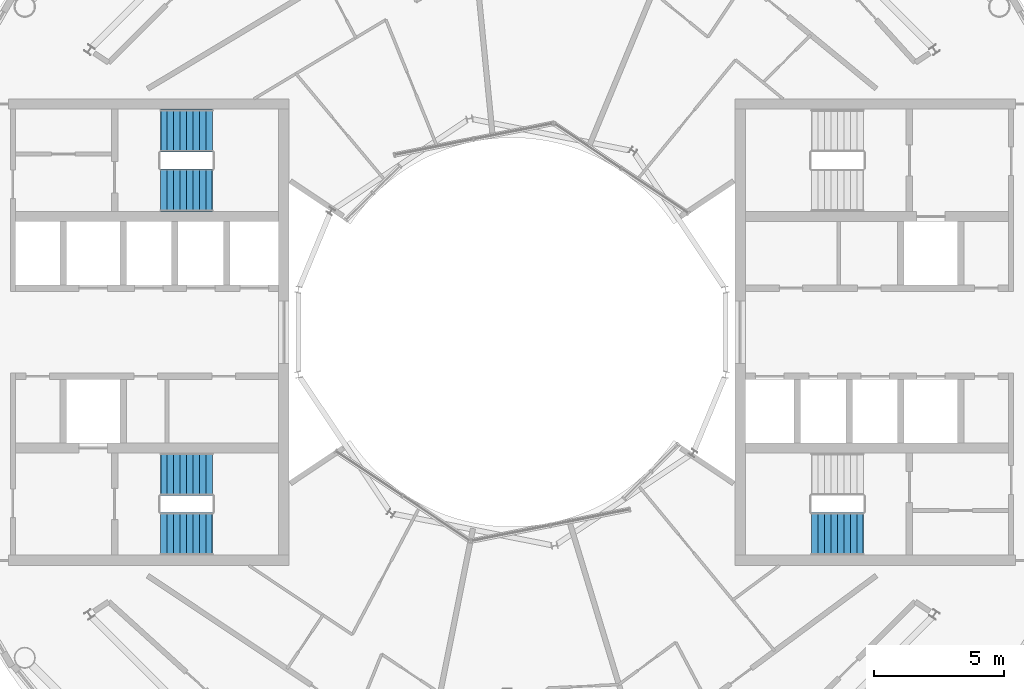
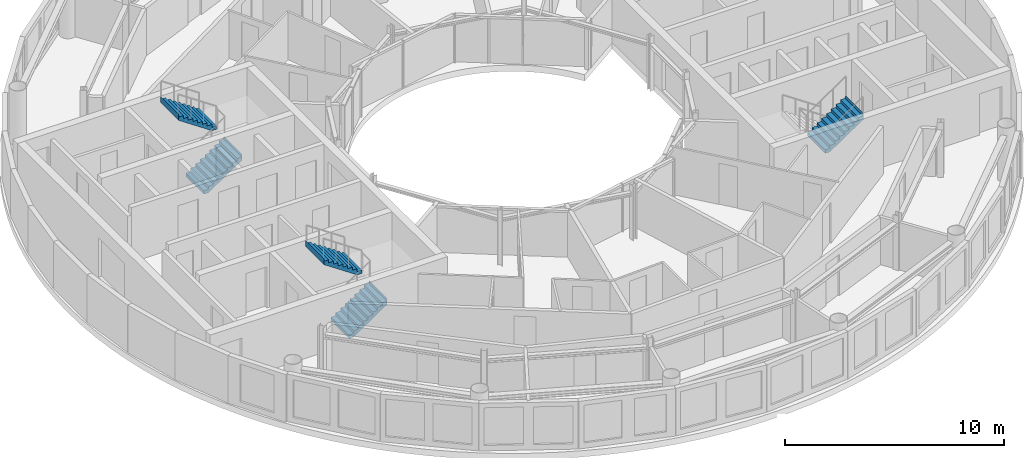
# One storey, part 15 of 17: 5 stair flights, 3 elements without a shape of their own.
"""IFC4 building model written with IfcOpenShell, lengths in metres."""

from ifc_helpers import new_model, si_unit, direction, frame, origin, place, context, subcontext, project, spatial, triangles, material, type_object, element, aggregate, save


model = new_model("IFC4")

# Units and contexts
model_context = context("Model", 3, precision=1e-05, world=origin(), true_north=direction((0.0, 1.0)))
body_context = subcontext(model_context, "Body", "Model", "MODEL_VIEW")
ifc_project = project(units=[si_unit("LENGTHUNIT", "METRE"), si_unit("AREAUNIT", "SQUARE_METRE"), si_unit("VOLUMEUNIT", "CUBIC_METRE"), si_unit("PLANEANGLEUNIT", "RADIAN"), si_unit("MASSUNIT", "GRAM", prefix="KILO")], contexts=[model_context])

# Site, building, storey
site_placement = place(None, origin())
site = spatial("IfcSite", under=ifc_project, at=site_placement, CompositionType="ELEMENT")
building_placement = place(site_placement, origin())
building = spatial("IfcBuilding", under=site, at=building_placement, Name="Maasbend Ring Residences", CompositionType="ELEMENT")
storey_placement = place(building_placement, frame((0.0, 0.0, 252.35009765625)))
storey = spatial("IfcBuildingStorey", under=building, at=storey_placement, Name="L73", CompositionType="ELEMENT", Elevation=252.35009765625)

# Stair, stair flight
ifc_material_1 = material(Name="Concrete C40/50", Category="concrete")
stair_type = type_object("IfcStairType", Name="CORE STAIR 18 RISERS", PredefinedType="HALF_TURN_STAIR", material=ifc_material_1)
stair_1_placement = place(storey_placement, origin())
stair_1 = element("IfcStair", 1, at=stair_1_placement, inside=storey, type_object=stair_type, Name="L73 Exit stair ST-E2", PredefinedType="HALF_TURN_STAIR")
ifc_material_2 = material(Name="Concrete C40/50", Category="concrete")
stair_flight_type = type_object("IfcStairFlightType", Name="CORE STAIR FLIGHT 1650", PredefinedType="STRAIGHT", material=ifc_material_2)
stair_flight_1_placement = place(storey_placement, frame((11.550048828125, -7.77490234375, 1.52490234375), z_axis=(0.0, 0.0, 1.0), x_axis=(1.0, 0.0, 0.0)))
stair_flight_1 = element("IfcStairFlight", 2, at=stair_flight_1_placement, type_object=stair_flight_type, Name="ST-E2 flight 2", NumberOfRisers=9, NumberOfTreads=8, PredefinedType="STRAIGHT", RiserHeight=0.169444444, TreadLength=0.25, context=body_context, shape_type="Tessellation", body=[
    triangles([(0.24072265625, 0.824951171875, -0.02001953125), (2.0029296875, 0.824951171875, 1.174560546875), (2.0029296875, 0.824951171875, 1.52490234375), (1.989990234375, 0.824951171875, 1.35546875), (1.75, 0.824951171875, 1.35546875), (1.75, 0.824951171875, 1.18603515625), (1.5, 0.824951171875, 1.18603515625), (1.5, 0.824951171875, 1.0166015625), (1.25, 0.824951171875, 1.0166015625), (1.25, 0.824951171875, 0.84716796875), (1.0, 0.824951171875, 0.84716796875), (1.0, 0.824951171875, 0.677734375), (0.75, 0.824951171875, 0.677734375), (0.75, 0.824951171875, 0.50830078125), (0.5, 0.824951171875, 0.50830078125), (0.5, 0.824951171875, 0.3388671875), (0.25, 0.824951171875, 0.3388671875), (0.25, 0.824951171875, 0.16943359375), (0.0, 0.824951171875, 0.16943359375), (0.0, 0.824951171875, 0.0), (-0.0029296875, 0.824951171875, 0.0), (-0.0029296875, 0.824951171875, -0.02001953125), (0.24072265625, 0.27490234375, -0.02001953125), (2.0029296875, 0.27490234375, 1.174560546875), (2.0029296875, 0.27490234375, 1.52490234375), (1.989990234375, 0.27490234375, 1.35546875), (1.75, 0.27490234375, 1.35546875), (1.75, 0.27490234375, 1.18603515625), (1.5, 0.27490234375, 1.18603515625), (1.5, 0.27490234375, 1.0166015625), (1.25, 0.27490234375, 1.0166015625), (1.25, 0.27490234375, 0.84716796875), (1.0, 0.27490234375, 0.84716796875), (1.0, 0.27490234375, 0.677734375), (0.75, 0.27490234375, 0.677734375), (0.75, 0.27490234375, 0.50830078125), (0.5, 0.27490234375, 0.50830078125), (0.5, 0.27490234375, 0.3388671875), (0.25, 0.27490234375, 0.3388671875), (0.25, 0.27490234375, 0.16943359375), (0.0, 0.27490234375, 0.16943359375), (0.0, 0.27490234375, 0.0), (-0.0029296875, 0.27490234375, 0.0), (-0.0029296875, 0.27490234375, -0.02001953125), (0.24072265625, -0.27490234375, -0.02001953125), (2.0029296875, -0.27490234375, 1.174560546875), (2.0029296875, -0.27490234375, 1.52490234375), (1.989990234375, -0.27490234375, 1.35546875), (1.75, -0.27490234375, 1.35546875), (1.75, -0.27490234375, 1.18603515625), (1.5, -0.27490234375, 1.18603515625), (1.5, -0.27490234375, 1.0166015625), (1.25, -0.27490234375, 1.0166015625), (1.25, -0.27490234375, 0.84716796875), (1.0, -0.27490234375, 0.84716796875), (1.0, -0.27490234375, 0.677734375), (0.75, -0.27490234375, 0.677734375), (0.75, -0.27490234375, 0.50830078125), (0.5, -0.27490234375, 0.50830078125), (0.5, -0.27490234375, 0.3388671875), (0.25, -0.27490234375, 0.3388671875), (0.25, -0.27490234375, 0.16943359375), (0.0, -0.27490234375, 0.16943359375), (0.0, -0.27490234375, 0.0), (-0.0029296875, -0.27490234375, 0.0), (-0.0029296875, -0.27490234375, -0.02001953125), (0.24072265625, -0.824951171875, -0.02001953125), (2.0029296875, -0.824951171875, 1.174560546875), (2.0029296875, -0.824951171875, 1.52490234375), (1.989990234375, -0.824951171875, 1.35546875), (1.75, -0.824951171875, 1.35546875), (1.75, -0.824951171875, 1.18603515625), (1.5, -0.824951171875, 1.18603515625), (1.5, -0.824951171875, 1.0166015625), (1.25, -0.824951171875, 1.0166015625), (1.25, -0.824951171875, 0.84716796875), (1.0, -0.824951171875, 0.84716796875), (1.0, -0.824951171875, 0.677734375), (0.75, -0.824951171875, 0.677734375), (0.75, -0.824951171875, 0.50830078125), (0.5, -0.824951171875, 0.50830078125), (0.5, -0.824951171875, 0.3388671875), (0.25, -0.824951171875, 0.3388671875), (0.25, -0.824951171875, 0.16943359375), (0.0, -0.824951171875, 0.16943359375), (0.0, -0.824951171875, 0.0), (-0.0029296875, -0.824951171875, 0.0), (-0.0029296875, -0.824951171875, -0.02001953125)], [[1, 2, 24], [1, 24, 23], [23, 24, 46], [23, 46, 45], [45, 46, 68], [45, 68, 67], [2, 3, 25], [2, 25, 24], [24, 25, 47], [24, 47, 46], [46, 47, 69], [46, 69, 68], [3, 4, 26], [3, 26, 25], [25, 26, 48], [25, 48, 47], [47, 48, 70], [47, 70, 69], [4, 5, 27], [4, 27, 26], [26, 27, 49], [26, 49, 48], [48, 49, 71], [48, 71, 70], [5, 6, 28], [5, 28, 27], [27, 28, 50], [27, 50, 49], [49, 50, 72], [49, 72, 71], [6, 7, 29], [6, 29, 28], [28, 29, 51], [28, 51, 50], [50, 51, 73], [50, 73, 72], [7, 8, 30], [7, 30, 29], [29, 30, 52], [29, 52, 51], [51, 52, 74], [51, 74, 73], [8, 9, 31], [8, 31, 30], [30, 31, 53], [30, 53, 52], [52, 53, 75], [52, 75, 74], [9, 10, 32], [9, 32, 31], [31, 32, 54], [31, 54, 53], [53, 54, 76], [53, 76, 75], [10, 11, 33], [10, 33, 32], [32, 33, 55], [32, 55, 54], [54, 55, 77], [54, 77, 76], [11, 12, 34], [11, 34, 33], [33, 34, 56], [33, 56, 55], [55, 56, 78], [55, 78, 77], [12, 13, 35], [12, 35, 34], [34, 35, 57], [34, 57, 56], [56, 57, 79], [56, 79, 78], [13, 14, 36], [13, 36, 35], [35, 36, 58], [35, 58, 57], [57, 58, 80], [57, 80, 79], [14, 15, 37], [14, 37, 36], [36, 37, 59], [36, 59, 58], [58, 59, 81], [58, 81, 80], [15, 16, 38], [15, 38, 37], [37, 38, 60], [37, 60, 59], [59, 60, 82], [59, 82, 81], [16, 17, 39], [16, 39, 38], [38, 39, 61], [38, 61, 60], [60, 61, 83], [60, 83, 82], [17, 18, 40], [17, 40, 39], [39, 40, 62], [39, 62, 61], [61, 62, 84], [61, 84, 83], [18, 19, 41], [18, 41, 40], [40, 41, 63], [40, 63, 62], [62, 63, 85], [62, 85, 84], [19, 20, 42], [19, 42, 41], [41, 42, 64], [41, 64, 63], [63, 64, 86], [63, 86, 85], [20, 21, 43], [20, 43, 42], [42, 43, 65], [42, 65, 64], [64, 65, 87], [64, 87, 86], [21, 22, 44], [21, 44, 43], [43, 44, 66], [43, 66, 65], [65, 66, 88], [65, 88, 87], [22, 1, 23], [22, 23, 44], [44, 23, 45], [44, 45, 66], [66, 45, 67], [66, 67, 88], [22, 2, 1], [2, 4, 3], [2, 5, 4], [2, 6, 5], [22, 6, 2], [6, 8, 7], [22, 8, 6], [8, 10, 9], [22, 10, 8], [10, 12, 11], [22, 12, 10], [12, 14, 13], [22, 14, 12], [14, 16, 15], [22, 16, 14], [16, 18, 17], [22, 18, 16], [18, 20, 19], [22, 20, 18], [20, 22, 21], [88, 67, 68], [68, 69, 70], [68, 70, 71], [68, 71, 72], [88, 68, 72], [72, 73, 74], [88, 72, 74], [74, 75, 76], [88, 74, 76], [76, 77, 78], [88, 76, 78], [78, 79, 80], [88, 78, 80], [80, 81, 82], [88, 80, 82], [82, 83, 84], [88, 82, 84], [84, 85, 86], [88, 84, 86], [86, 87, 88]], closed=True),
])
aggregate(stair_1, [stair_flight_1])

# Stair, stair flights
stair_2_placement = place(storey_placement, origin())
stair_2 = element("IfcStair", 3, at=stair_2_placement, inside=storey, type_object=stair_type, Name="L73 Exit stair ST-W1", PredefinedType="HALF_TURN_STAIR")
stair_flight_2_placement = place(storey_placement, frame((-13.550048828125, -7.77490234375, 0.0), z_axis=(0.0, 0.0, 1.0), x_axis=(1.0, 0.0, 0.0)))
stair_flight_2 = element("IfcStairFlight", 4, at=stair_flight_2_placement, type_object=stair_flight_type, Name="ST-W1 flight 1", NumberOfRisers=9, NumberOfTreads=8, PredefinedType="STRAIGHT", RiserHeight=0.169444444, TreadLength=0.25, context=body_context, shape_type="Tessellation", body=[
    triangles([(0.24072265625, 0.824951171875, -0.02001953125), (2.0029296875, 0.824951171875, 1.174560546875), (2.0029296875, 0.824951171875, 1.52490234375), (1.989990234375, 0.824951171875, 1.35546875), (1.75, 0.824951171875, 1.35546875), (1.75, 0.824951171875, 1.18603515625), (1.5, 0.824951171875, 1.18603515625), (1.5, 0.824951171875, 1.0166015625), (1.25, 0.824951171875, 1.0166015625), (1.25, 0.824951171875, 0.84716796875), (1.0, 0.824951171875, 0.84716796875), (1.0, 0.824951171875, 0.677734375), (0.75, 0.824951171875, 0.677734375), (0.75, 0.824951171875, 0.50830078125), (0.5, 0.824951171875, 0.50830078125), (0.5, 0.824951171875, 0.3388671875), (0.25, 0.824951171875, 0.3388671875), (0.25, 0.824951171875, 0.16943359375), (0.0, 0.824951171875, 0.16943359375), (0.0, 0.824951171875, 0.0), (-0.0029296875, 0.824951171875, 0.0), (-0.0029296875, 0.824951171875, -0.02001953125), (0.24072265625, 0.27490234375, -0.02001953125), (2.0029296875, 0.27490234375, 1.174560546875), (2.0029296875, 0.27490234375, 1.52490234375), (1.989990234375, 0.27490234375, 1.35546875), (1.75, 0.27490234375, 1.35546875), (1.75, 0.27490234375, 1.18603515625), (1.5, 0.27490234375, 1.18603515625), (1.5, 0.27490234375, 1.0166015625), (1.25, 0.27490234375, 1.0166015625), (1.25, 0.27490234375, 0.84716796875), (1.0, 0.27490234375, 0.84716796875), (1.0, 0.27490234375, 0.677734375), (0.75, 0.27490234375, 0.677734375), (0.75, 0.27490234375, 0.50830078125), (0.5, 0.27490234375, 0.50830078125), (0.5, 0.27490234375, 0.3388671875), (0.25, 0.27490234375, 0.3388671875), (0.25, 0.27490234375, 0.16943359375), (0.0, 0.27490234375, 0.16943359375), (0.0, 0.27490234375, 0.0), (-0.0029296875, 0.27490234375, 0.0), (-0.0029296875, 0.27490234375, -0.02001953125), (0.24072265625, -0.27490234375, -0.02001953125), (2.0029296875, -0.27490234375, 1.174560546875), (2.0029296875, -0.27490234375, 1.52490234375), (1.989990234375, -0.27490234375, 1.35546875), (1.75, -0.27490234375, 1.35546875), (1.75, -0.27490234375, 1.18603515625), (1.5, -0.27490234375, 1.18603515625), (1.5, -0.27490234375, 1.0166015625), (1.25, -0.27490234375, 1.0166015625), (1.25, -0.27490234375, 0.84716796875), (1.0, -0.27490234375, 0.84716796875), (1.0, -0.27490234375, 0.677734375), (0.75, -0.27490234375, 0.677734375), (0.75, -0.27490234375, 0.50830078125), (0.5, -0.27490234375, 0.50830078125), (0.5, -0.27490234375, 0.3388671875), (0.25, -0.27490234375, 0.3388671875), (0.25, -0.27490234375, 0.16943359375), (0.0, -0.27490234375, 0.16943359375), (0.0, -0.27490234375, 0.0), (-0.0029296875, -0.27490234375, 0.0), (-0.0029296875, -0.27490234375, -0.02001953125), (0.24072265625, -0.824951171875, -0.02001953125), (2.0029296875, -0.824951171875, 1.174560546875), (2.0029296875, -0.824951171875, 1.52490234375), (1.989990234375, -0.824951171875, 1.35546875), (1.75, -0.824951171875, 1.35546875), (1.75, -0.824951171875, 1.18603515625), (1.5, -0.824951171875, 1.18603515625), (1.5, -0.824951171875, 1.0166015625), (1.25, -0.824951171875, 1.0166015625), (1.25, -0.824951171875, 0.84716796875), (1.0, -0.824951171875, 0.84716796875), (1.0, -0.824951171875, 0.677734375), (0.75, -0.824951171875, 0.677734375), (0.75, -0.824951171875, 0.50830078125), (0.5, -0.824951171875, 0.50830078125), (0.5, -0.824951171875, 0.3388671875), (0.25, -0.824951171875, 0.3388671875), (0.25, -0.824951171875, 0.16943359375), (0.0, -0.824951171875, 0.16943359375), (0.0, -0.824951171875, 0.0), (-0.0029296875, -0.824951171875, 0.0), (-0.0029296875, -0.824951171875, -0.02001953125)], [[1, 2, 24], [1, 24, 23], [23, 24, 46], [23, 46, 45], [45, 46, 68], [45, 68, 67], [2, 3, 25], [2, 25, 24], [24, 25, 47], [24, 47, 46], [46, 47, 69], [46, 69, 68], [3, 4, 26], [3, 26, 25], [25, 26, 48], [25, 48, 47], [47, 48, 70], [47, 70, 69], [4, 5, 27], [4, 27, 26], [26, 27, 49], [26, 49, 48], [48, 49, 71], [48, 71, 70], [5, 6, 28], [5, 28, 27], [27, 28, 50], [27, 50, 49], [49, 50, 72], [49, 72, 71], [6, 7, 29], [6, 29, 28], [28, 29, 51], [28, 51, 50], [50, 51, 73], [50, 73, 72], [7, 8, 30], [7, 30, 29], [29, 30, 52], [29, 52, 51], [51, 52, 74], [51, 74, 73], [8, 9, 31], [8, 31, 30], [30, 31, 53], [30, 53, 52], [52, 53, 75], [52, 75, 74], [9, 10, 32], [9, 32, 31], [31, 32, 54], [31, 54, 53], [53, 54, 76], [53, 76, 75], [10, 11, 33], [10, 33, 32], [32, 33, 55], [32, 55, 54], [54, 55, 77], [54, 77, 76], [11, 12, 34], [11, 34, 33], [33, 34, 56], [33, 56, 55], [55, 56, 78], [55, 78, 77], [12, 13, 35], [12, 35, 34], [34, 35, 57], [34, 57, 56], [56, 57, 79], [56, 79, 78], [13, 14, 36], [13, 36, 35], [35, 36, 58], [35, 58, 57], [57, 58, 80], [57, 80, 79], [14, 15, 37], [14, 37, 36], [36, 37, 59], [36, 59, 58], [58, 59, 81], [58, 81, 80], [15, 16, 38], [15, 38, 37], [37, 38, 60], [37, 60, 59], [59, 60, 82], [59, 82, 81], [16, 17, 39], [16, 39, 38], [38, 39, 61], [38, 61, 60], [60, 61, 83], [60, 83, 82], [17, 18, 40], [17, 40, 39], [39, 40, 62], [39, 62, 61], [61, 62, 84], [61, 84, 83], [18, 19, 41], [18, 41, 40], [40, 41, 63], [40, 63, 62], [62, 63, 85], [62, 85, 84], [19, 20, 42], [19, 42, 41], [41, 42, 64], [41, 64, 63], [63, 64, 86], [63, 86, 85], [20, 21, 43], [20, 43, 42], [42, 43, 65], [42, 65, 64], [64, 65, 87], [64, 87, 86], [21, 22, 44], [21, 44, 43], [43, 44, 66], [43, 66, 65], [65, 66, 88], [65, 88, 87], [22, 1, 23], [22, 23, 44], [44, 23, 45], [44, 45, 66], [66, 45, 67], [66, 67, 88], [22, 2, 1], [2, 4, 3], [2, 5, 4], [2, 6, 5], [22, 6, 2], [6, 8, 7], [22, 8, 6], [8, 10, 9], [22, 10, 8], [10, 12, 11], [22, 12, 10], [12, 14, 13], [22, 14, 12], [14, 16, 15], [22, 16, 14], [16, 18, 17], [22, 18, 16], [18, 20, 19], [22, 20, 18], [20, 22, 21], [88, 67, 68], [68, 69, 70], [68, 70, 71], [68, 71, 72], [88, 68, 72], [72, 73, 74], [88, 72, 74], [74, 75, 76], [88, 74, 76], [76, 77, 78], [88, 76, 78], [78, 79, 80], [88, 78, 80], [80, 81, 82], [88, 80, 82], [82, 83, 84], [88, 82, 84], [84, 85, 86], [88, 84, 86], [86, 87, 88]], closed=True),
])
stair_flight_3_placement = place(storey_placement, frame((-11.550048828125, -5.47509765625, 1.52490234375), z_axis=(0.0, 0.0, 1.0), x_axis=(-1.0, 0.0, 0.0)))
stair_flight_3 = element("IfcStairFlight", 5, at=stair_flight_3_placement, type_object=stair_flight_type, Name="ST-W1 flight 2", NumberOfRisers=9, NumberOfTreads=8, PredefinedType="STRAIGHT", RiserHeight=0.169444444, TreadLength=0.25, context=body_context, shape_type="Tessellation", body=[
    triangles([(0.24072265625, 0.824951171875, -0.02001953125), (2.0029296875, 0.824951171875, 1.174560546875), (2.0029296875, 0.824951171875, 1.52490234375), (1.989990234375, 0.824951171875, 1.35546875), (1.75, 0.824951171875, 1.35546875), (1.75, 0.824951171875, 1.18603515625), (1.5, 0.824951171875, 1.18603515625), (1.5, 0.824951171875, 1.0166015625), (1.25, 0.824951171875, 1.0166015625), (1.25, 0.824951171875, 0.84716796875), (1.0, 0.824951171875, 0.84716796875), (1.0, 0.824951171875, 0.677734375), (0.75, 0.824951171875, 0.677734375), (0.75, 0.824951171875, 0.50830078125), (0.5, 0.824951171875, 0.50830078125), (0.5, 0.824951171875, 0.3388671875), (0.25, 0.824951171875, 0.3388671875), (0.25, 0.824951171875, 0.16943359375), (0.0, 0.824951171875, 0.16943359375), (0.0, 0.824951171875, 0.0), (-0.0029296875, 0.824951171875, 0.0), (-0.0029296875, 0.824951171875, -0.02001953125), (0.24072265625, 0.27490234375, -0.02001953125), (2.0029296875, 0.27490234375, 1.174560546875), (2.0029296875, 0.27490234375, 1.52490234375), (1.989990234375, 0.27490234375, 1.35546875), (1.75, 0.27490234375, 1.35546875), (1.75, 0.27490234375, 1.18603515625), (1.5, 0.27490234375, 1.18603515625), (1.5, 0.27490234375, 1.0166015625), (1.25, 0.27490234375, 1.0166015625), (1.25, 0.27490234375, 0.84716796875), (1.0, 0.27490234375, 0.84716796875), (1.0, 0.27490234375, 0.677734375), (0.75, 0.27490234375, 0.677734375), (0.75, 0.27490234375, 0.50830078125), (0.5, 0.27490234375, 0.50830078125), (0.5, 0.27490234375, 0.3388671875), (0.25, 0.27490234375, 0.3388671875), (0.25, 0.27490234375, 0.16943359375), (0.0, 0.27490234375, 0.16943359375), (0.0, 0.27490234375, 0.0), (-0.0029296875, 0.27490234375, 0.0), (-0.0029296875, 0.27490234375, -0.02001953125), (0.24072265625, -0.27490234375, -0.02001953125), (2.0029296875, -0.27490234375, 1.174560546875), (2.0029296875, -0.27490234375, 1.52490234375), (1.989990234375, -0.27490234375, 1.35546875), (1.75, -0.27490234375, 1.35546875), (1.75, -0.27490234375, 1.18603515625), (1.5, -0.27490234375, 1.18603515625), (1.5, -0.27490234375, 1.0166015625), (1.25, -0.27490234375, 1.0166015625), (1.25, -0.27490234375, 0.84716796875), (1.0, -0.27490234375, 0.84716796875), (1.0, -0.27490234375, 0.677734375), (0.75, -0.27490234375, 0.677734375), (0.75, -0.27490234375, 0.50830078125), (0.5, -0.27490234375, 0.50830078125), (0.5, -0.27490234375, 0.3388671875), (0.25, -0.27490234375, 0.3388671875), (0.25, -0.27490234375, 0.16943359375), (0.0, -0.27490234375, 0.16943359375), (0.0, -0.27490234375, 0.0), (-0.0029296875, -0.27490234375, 0.0), (-0.0029296875, -0.27490234375, -0.02001953125), (0.24072265625, -0.824951171875, -0.02001953125), (2.0029296875, -0.824951171875, 1.174560546875), (2.0029296875, -0.824951171875, 1.52490234375), (1.989990234375, -0.824951171875, 1.35546875), (1.75, -0.824951171875, 1.35546875), (1.75, -0.824951171875, 1.18603515625), (1.5, -0.824951171875, 1.18603515625), (1.5, -0.824951171875, 1.0166015625), (1.25, -0.824951171875, 1.0166015625), (1.25, -0.824951171875, 0.84716796875), (1.0, -0.824951171875, 0.84716796875), (1.0, -0.824951171875, 0.677734375), (0.75, -0.824951171875, 0.677734375), (0.75, -0.824951171875, 0.50830078125), (0.5, -0.824951171875, 0.50830078125), (0.5, -0.824951171875, 0.3388671875), (0.25, -0.824951171875, 0.3388671875), (0.25, -0.824951171875, 0.16943359375), (0.0, -0.824951171875, 0.16943359375), (0.0, -0.824951171875, 0.0), (-0.0029296875, -0.824951171875, 0.0), (-0.0029296875, -0.824951171875, -0.02001953125)], [[1, 2, 24], [1, 24, 23], [23, 24, 46], [23, 46, 45], [45, 46, 68], [45, 68, 67], [2, 3, 25], [2, 25, 24], [24, 25, 47], [24, 47, 46], [46, 47, 69], [46, 69, 68], [3, 4, 26], [3, 26, 25], [25, 26, 48], [25, 48, 47], [47, 48, 70], [47, 70, 69], [4, 5, 27], [4, 27, 26], [26, 27, 49], [26, 49, 48], [48, 49, 71], [48, 71, 70], [5, 6, 28], [5, 28, 27], [27, 28, 50], [27, 50, 49], [49, 50, 72], [49, 72, 71], [6, 7, 29], [6, 29, 28], [28, 29, 51], [28, 51, 50], [50, 51, 73], [50, 73, 72], [7, 8, 30], [7, 30, 29], [29, 30, 52], [29, 52, 51], [51, 52, 74], [51, 74, 73], [8, 9, 31], [8, 31, 30], [30, 31, 53], [30, 53, 52], [52, 53, 75], [52, 75, 74], [9, 10, 32], [9, 32, 31], [31, 32, 54], [31, 54, 53], [53, 54, 76], [53, 76, 75], [10, 11, 33], [10, 33, 32], [32, 33, 55], [32, 55, 54], [54, 55, 77], [54, 77, 76], [11, 12, 34], [11, 34, 33], [33, 34, 56], [33, 56, 55], [55, 56, 78], [55, 78, 77], [12, 13, 35], [12, 35, 34], [34, 35, 57], [34, 57, 56], [56, 57, 79], [56, 79, 78], [13, 14, 36], [13, 36, 35], [35, 36, 58], [35, 58, 57], [57, 58, 80], [57, 80, 79], [14, 15, 37], [14, 37, 36], [36, 37, 59], [36, 59, 58], [58, 59, 81], [58, 81, 80], [15, 16, 38], [15, 38, 37], [37, 38, 60], [37, 60, 59], [59, 60, 82], [59, 82, 81], [16, 17, 39], [16, 39, 38], [38, 39, 61], [38, 61, 60], [60, 61, 83], [60, 83, 82], [17, 18, 40], [17, 40, 39], [39, 40, 62], [39, 62, 61], [61, 62, 84], [61, 84, 83], [18, 19, 41], [18, 41, 40], [40, 41, 63], [40, 63, 62], [62, 63, 85], [62, 85, 84], [19, 20, 42], [19, 42, 41], [41, 42, 64], [41, 64, 63], [63, 64, 86], [63, 86, 85], [20, 21, 43], [20, 43, 42], [42, 43, 65], [42, 65, 64], [64, 65, 87], [64, 87, 86], [21, 22, 44], [21, 44, 43], [43, 44, 66], [43, 66, 65], [65, 66, 88], [65, 88, 87], [22, 1, 23], [22, 23, 44], [44, 23, 45], [44, 45, 66], [66, 45, 67], [66, 67, 88], [22, 2, 1], [2, 4, 3], [2, 5, 4], [2, 6, 5], [22, 6, 2], [6, 8, 7], [22, 8, 6], [8, 10, 9], [22, 10, 8], [10, 12, 11], [22, 12, 10], [12, 14, 13], [22, 14, 12], [14, 16, 15], [22, 16, 14], [16, 18, 17], [22, 18, 16], [18, 20, 19], [22, 20, 18], [20, 22, 21], [88, 67, 68], [68, 69, 70], [68, 70, 71], [68, 71, 72], [88, 68, 72], [72, 73, 74], [88, 72, 74], [74, 75, 76], [88, 74, 76], [76, 77, 78], [88, 76, 78], [78, 79, 80], [88, 78, 80], [80, 81, 82], [88, 80, 82], [82, 83, 84], [88, 82, 84], [84, 85, 86], [88, 84, 86], [86, 87, 88]], closed=True),
])
aggregate(stair_2, [stair_flight_2, stair_flight_3])

stair_3_placement = place(storey_placement, origin())
stair_3 = element("IfcStair", 6, at=stair_3_placement, inside=storey, type_object=stair_type, Name="L73 Exit stair ST-W2", PredefinedType="HALF_TURN_STAIR")
stair_flight_4_placement = place(storey_placement, frame((-13.550048828125, 5.47509765625, 0.0), z_axis=(0.0, 0.0, 1.0), x_axis=(1.0, 0.0, 0.0)))
stair_flight_4 = element("IfcStairFlight", 7, at=stair_flight_4_placement, type_object=stair_flight_type, Name="ST-W2 flight 1", NumberOfRisers=9, NumberOfTreads=8, PredefinedType="STRAIGHT", RiserHeight=0.169444444, TreadLength=0.25, context=body_context, shape_type="Tessellation", body=[
    triangles([(0.24072265625, 0.824951171875, -0.02001953125), (2.0029296875, 0.824951171875, 1.174560546875), (2.0029296875, 0.824951171875, 1.52490234375), (1.989990234375, 0.824951171875, 1.35546875), (1.75, 0.824951171875, 1.35546875), (1.75, 0.824951171875, 1.18603515625), (1.5, 0.824951171875, 1.18603515625), (1.5, 0.824951171875, 1.0166015625), (1.25, 0.824951171875, 1.0166015625), (1.25, 0.824951171875, 0.84716796875), (1.0, 0.824951171875, 0.84716796875), (1.0, 0.824951171875, 0.677734375), (0.75, 0.824951171875, 0.677734375), (0.75, 0.824951171875, 0.50830078125), (0.5, 0.824951171875, 0.50830078125), (0.5, 0.824951171875, 0.3388671875), (0.25, 0.824951171875, 0.3388671875), (0.25, 0.824951171875, 0.16943359375), (0.0, 0.824951171875, 0.16943359375), (0.0, 0.824951171875, 0.0), (-0.0029296875, 0.824951171875, 0.0), (-0.0029296875, 0.824951171875, -0.02001953125), (0.24072265625, 0.27490234375, -0.02001953125), (2.0029296875, 0.27490234375, 1.174560546875), (2.0029296875, 0.27490234375, 1.52490234375), (1.989990234375, 0.27490234375, 1.35546875), (1.75, 0.27490234375, 1.35546875), (1.75, 0.27490234375, 1.18603515625), (1.5, 0.27490234375, 1.18603515625), (1.5, 0.27490234375, 1.0166015625), (1.25, 0.27490234375, 1.0166015625), (1.25, 0.27490234375, 0.84716796875), (1.0, 0.27490234375, 0.84716796875), (1.0, 0.27490234375, 0.677734375), (0.75, 0.27490234375, 0.677734375), (0.75, 0.27490234375, 0.50830078125), (0.5, 0.27490234375, 0.50830078125), (0.5, 0.27490234375, 0.3388671875), (0.25, 0.27490234375, 0.3388671875), (0.25, 0.27490234375, 0.16943359375), (0.0, 0.27490234375, 0.16943359375), (0.0, 0.27490234375, 0.0), (-0.0029296875, 0.27490234375, 0.0), (-0.0029296875, 0.27490234375, -0.02001953125), (0.24072265625, -0.27490234375, -0.02001953125), (2.0029296875, -0.27490234375, 1.174560546875), (2.0029296875, -0.27490234375, 1.52490234375), (1.989990234375, -0.27490234375, 1.35546875), (1.75, -0.27490234375, 1.35546875), (1.75, -0.27490234375, 1.18603515625), (1.5, -0.27490234375, 1.18603515625), (1.5, -0.27490234375, 1.0166015625), (1.25, -0.27490234375, 1.0166015625), (1.25, -0.27490234375, 0.84716796875), (1.0, -0.27490234375, 0.84716796875), (1.0, -0.27490234375, 0.677734375), (0.75, -0.27490234375, 0.677734375), (0.75, -0.27490234375, 0.50830078125), (0.5, -0.27490234375, 0.50830078125), (0.5, -0.27490234375, 0.3388671875), (0.25, -0.27490234375, 0.3388671875), (0.25, -0.27490234375, 0.16943359375), (0.0, -0.27490234375, 0.16943359375), (0.0, -0.27490234375, 0.0), (-0.0029296875, -0.27490234375, 0.0), (-0.0029296875, -0.27490234375, -0.02001953125), (0.24072265625, -0.824951171875, -0.02001953125), (2.0029296875, -0.824951171875, 1.174560546875), (2.0029296875, -0.824951171875, 1.52490234375), (1.989990234375, -0.824951171875, 1.35546875), (1.75, -0.824951171875, 1.35546875), (1.75, -0.824951171875, 1.18603515625), (1.5, -0.824951171875, 1.18603515625), (1.5, -0.824951171875, 1.0166015625), (1.25, -0.824951171875, 1.0166015625), (1.25, -0.824951171875, 0.84716796875), (1.0, -0.824951171875, 0.84716796875), (1.0, -0.824951171875, 0.677734375), (0.75, -0.824951171875, 0.677734375), (0.75, -0.824951171875, 0.50830078125), (0.5, -0.824951171875, 0.50830078125), (0.5, -0.824951171875, 0.3388671875), (0.25, -0.824951171875, 0.3388671875), (0.25, -0.824951171875, 0.16943359375), (0.0, -0.824951171875, 0.16943359375), (0.0, -0.824951171875, 0.0), (-0.0029296875, -0.824951171875, 0.0), (-0.0029296875, -0.824951171875, -0.02001953125)], [[1, 2, 24], [1, 24, 23], [23, 24, 46], [23, 46, 45], [45, 46, 68], [45, 68, 67], [2, 3, 25], [2, 25, 24], [24, 25, 47], [24, 47, 46], [46, 47, 69], [46, 69, 68], [3, 4, 26], [3, 26, 25], [25, 26, 48], [25, 48, 47], [47, 48, 70], [47, 70, 69], [4, 5, 27], [4, 27, 26], [26, 27, 49], [26, 49, 48], [48, 49, 71], [48, 71, 70], [5, 6, 28], [5, 28, 27], [27, 28, 50], [27, 50, 49], [49, 50, 72], [49, 72, 71], [6, 7, 29], [6, 29, 28], [28, 29, 51], [28, 51, 50], [50, 51, 73], [50, 73, 72], [7, 8, 30], [7, 30, 29], [29, 30, 52], [29, 52, 51], [51, 52, 74], [51, 74, 73], [8, 9, 31], [8, 31, 30], [30, 31, 53], [30, 53, 52], [52, 53, 75], [52, 75, 74], [9, 10, 32], [9, 32, 31], [31, 32, 54], [31, 54, 53], [53, 54, 76], [53, 76, 75], [10, 11, 33], [10, 33, 32], [32, 33, 55], [32, 55, 54], [54, 55, 77], [54, 77, 76], [11, 12, 34], [11, 34, 33], [33, 34, 56], [33, 56, 55], [55, 56, 78], [55, 78, 77], [12, 13, 35], [12, 35, 34], [34, 35, 57], [34, 57, 56], [56, 57, 79], [56, 79, 78], [13, 14, 36], [13, 36, 35], [35, 36, 58], [35, 58, 57], [57, 58, 80], [57, 80, 79], [14, 15, 37], [14, 37, 36], [36, 37, 59], [36, 59, 58], [58, 59, 81], [58, 81, 80], [15, 16, 38], [15, 38, 37], [37, 38, 60], [37, 60, 59], [59, 60, 82], [59, 82, 81], [16, 17, 39], [16, 39, 38], [38, 39, 61], [38, 61, 60], [60, 61, 83], [60, 83, 82], [17, 18, 40], [17, 40, 39], [39, 40, 62], [39, 62, 61], [61, 62, 84], [61, 84, 83], [18, 19, 41], [18, 41, 40], [40, 41, 63], [40, 63, 62], [62, 63, 85], [62, 85, 84], [19, 20, 42], [19, 42, 41], [41, 42, 64], [41, 64, 63], [63, 64, 86], [63, 86, 85], [20, 21, 43], [20, 43, 42], [42, 43, 65], [42, 65, 64], [64, 65, 87], [64, 87, 86], [21, 22, 44], [21, 44, 43], [43, 44, 66], [43, 66, 65], [65, 66, 88], [65, 88, 87], [22, 1, 23], [22, 23, 44], [44, 23, 45], [44, 45, 66], [66, 45, 67], [66, 67, 88], [22, 2, 1], [2, 4, 3], [2, 5, 4], [2, 6, 5], [22, 6, 2], [6, 8, 7], [22, 8, 6], [8, 10, 9], [22, 10, 8], [10, 12, 11], [22, 12, 10], [12, 14, 13], [22, 14, 12], [14, 16, 15], [22, 16, 14], [16, 18, 17], [22, 18, 16], [18, 20, 19], [22, 20, 18], [20, 22, 21], [88, 67, 68], [68, 69, 70], [68, 70, 71], [68, 71, 72], [88, 68, 72], [72, 73, 74], [88, 72, 74], [74, 75, 76], [88, 74, 76], [76, 77, 78], [88, 76, 78], [78, 79, 80], [88, 78, 80], [80, 81, 82], [88, 80, 82], [82, 83, 84], [88, 82, 84], [84, 85, 86], [88, 84, 86], [86, 87, 88]], closed=True),
])
stair_flight_5_placement = place(storey_placement, frame((-11.550048828125, 7.77490234375, 1.52490234375), z_axis=(0.0, 0.0, 1.0), x_axis=(-1.0, 0.0, 0.0)))
stair_flight_5 = element("IfcStairFlight", 8, at=stair_flight_5_placement, type_object=stair_flight_type, Name="ST-W2 flight 2", NumberOfRisers=9, NumberOfTreads=8, PredefinedType="STRAIGHT", RiserHeight=0.169444444, TreadLength=0.25, context=body_context, shape_type="Tessellation", body=[
    triangles([(0.24072265625, 0.824951171875, -0.02001953125), (2.0029296875, 0.824951171875, 1.174560546875), (2.0029296875, 0.824951171875, 1.52490234375), (1.989990234375, 0.824951171875, 1.35546875), (1.75, 0.824951171875, 1.35546875), (1.75, 0.824951171875, 1.18603515625), (1.5, 0.824951171875, 1.18603515625), (1.5, 0.824951171875, 1.0166015625), (1.25, 0.824951171875, 1.0166015625), (1.25, 0.824951171875, 0.84716796875), (1.0, 0.824951171875, 0.84716796875), (1.0, 0.824951171875, 0.677734375), (0.75, 0.824951171875, 0.677734375), (0.75, 0.824951171875, 0.50830078125), (0.5, 0.824951171875, 0.50830078125), (0.5, 0.824951171875, 0.3388671875), (0.25, 0.824951171875, 0.3388671875), (0.25, 0.824951171875, 0.16943359375), (0.0, 0.824951171875, 0.16943359375), (0.0, 0.824951171875, 0.0), (-0.0029296875, 0.824951171875, 0.0), (-0.0029296875, 0.824951171875, -0.02001953125), (0.24072265625, 0.27490234375, -0.02001953125), (2.0029296875, 0.27490234375, 1.174560546875), (2.0029296875, 0.27490234375, 1.52490234375), (1.989990234375, 0.27490234375, 1.35546875), (1.75, 0.27490234375, 1.35546875), (1.75, 0.27490234375, 1.18603515625), (1.5, 0.27490234375, 1.18603515625), (1.5, 0.27490234375, 1.0166015625), (1.25, 0.27490234375, 1.0166015625), (1.25, 0.27490234375, 0.84716796875), (1.0, 0.27490234375, 0.84716796875), (1.0, 0.27490234375, 0.677734375), (0.75, 0.27490234375, 0.677734375), (0.75, 0.27490234375, 0.50830078125), (0.5, 0.27490234375, 0.50830078125), (0.5, 0.27490234375, 0.3388671875), (0.25, 0.27490234375, 0.3388671875), (0.25, 0.27490234375, 0.16943359375), (0.0, 0.27490234375, 0.16943359375), (0.0, 0.27490234375, 0.0), (-0.0029296875, 0.27490234375, 0.0), (-0.0029296875, 0.27490234375, -0.02001953125), (0.24072265625, -0.27490234375, -0.02001953125), (2.0029296875, -0.27490234375, 1.174560546875), (2.0029296875, -0.27490234375, 1.52490234375), (1.989990234375, -0.27490234375, 1.35546875), (1.75, -0.27490234375, 1.35546875), (1.75, -0.27490234375, 1.18603515625), (1.5, -0.27490234375, 1.18603515625), (1.5, -0.27490234375, 1.0166015625), (1.25, -0.27490234375, 1.0166015625), (1.25, -0.27490234375, 0.84716796875), (1.0, -0.27490234375, 0.84716796875), (1.0, -0.27490234375, 0.677734375), (0.75, -0.27490234375, 0.677734375), (0.75, -0.27490234375, 0.50830078125), (0.5, -0.27490234375, 0.50830078125), (0.5, -0.27490234375, 0.3388671875), (0.25, -0.27490234375, 0.3388671875), (0.25, -0.27490234375, 0.16943359375), (0.0, -0.27490234375, 0.16943359375), (0.0, -0.27490234375, 0.0), (-0.0029296875, -0.27490234375, 0.0), (-0.0029296875, -0.27490234375, -0.02001953125), (0.24072265625, -0.824951171875, -0.02001953125), (2.0029296875, -0.824951171875, 1.174560546875), (2.0029296875, -0.824951171875, 1.52490234375), (1.989990234375, -0.824951171875, 1.35546875), (1.75, -0.824951171875, 1.35546875), (1.75, -0.824951171875, 1.18603515625), (1.5, -0.824951171875, 1.18603515625), (1.5, -0.824951171875, 1.0166015625), (1.25, -0.824951171875, 1.0166015625), (1.25, -0.824951171875, 0.84716796875), (1.0, -0.824951171875, 0.84716796875), (1.0, -0.824951171875, 0.677734375), (0.75, -0.824951171875, 0.677734375), (0.75, -0.824951171875, 0.50830078125), (0.5, -0.824951171875, 0.50830078125), (0.5, -0.824951171875, 0.3388671875), (0.25, -0.824951171875, 0.3388671875), (0.25, -0.824951171875, 0.16943359375), (0.0, -0.824951171875, 0.16943359375), (0.0, -0.824951171875, 0.0), (-0.0029296875, -0.824951171875, 0.0), (-0.0029296875, -0.824951171875, -0.02001953125)], [[1, 2, 24], [1, 24, 23], [23, 24, 46], [23, 46, 45], [45, 46, 68], [45, 68, 67], [2, 3, 25], [2, 25, 24], [24, 25, 47], [24, 47, 46], [46, 47, 69], [46, 69, 68], [3, 4, 26], [3, 26, 25], [25, 26, 48], [25, 48, 47], [47, 48, 70], [47, 70, 69], [4, 5, 27], [4, 27, 26], [26, 27, 49], [26, 49, 48], [48, 49, 71], [48, 71, 70], [5, 6, 28], [5, 28, 27], [27, 28, 50], [27, 50, 49], [49, 50, 72], [49, 72, 71], [6, 7, 29], [6, 29, 28], [28, 29, 51], [28, 51, 50], [50, 51, 73], [50, 73, 72], [7, 8, 30], [7, 30, 29], [29, 30, 52], [29, 52, 51], [51, 52, 74], [51, 74, 73], [8, 9, 31], [8, 31, 30], [30, 31, 53], [30, 53, 52], [52, 53, 75], [52, 75, 74], [9, 10, 32], [9, 32, 31], [31, 32, 54], [31, 54, 53], [53, 54, 76], [53, 76, 75], [10, 11, 33], [10, 33, 32], [32, 33, 55], [32, 55, 54], [54, 55, 77], [54, 77, 76], [11, 12, 34], [11, 34, 33], [33, 34, 56], [33, 56, 55], [55, 56, 78], [55, 78, 77], [12, 13, 35], [12, 35, 34], [34, 35, 57], [34, 57, 56], [56, 57, 79], [56, 79, 78], [13, 14, 36], [13, 36, 35], [35, 36, 58], [35, 58, 57], [57, 58, 80], [57, 80, 79], [14, 15, 37], [14, 37, 36], [36, 37, 59], [36, 59, 58], [58, 59, 81], [58, 81, 80], [15, 16, 38], [15, 38, 37], [37, 38, 60], [37, 60, 59], [59, 60, 82], [59, 82, 81], [16, 17, 39], [16, 39, 38], [38, 39, 61], [38, 61, 60], [60, 61, 83], [60, 83, 82], [17, 18, 40], [17, 40, 39], [39, 40, 62], [39, 62, 61], [61, 62, 84], [61, 84, 83], [18, 19, 41], [18, 41, 40], [40, 41, 63], [40, 63, 62], [62, 63, 85], [62, 85, 84], [19, 20, 42], [19, 42, 41], [41, 42, 64], [41, 64, 63], [63, 64, 86], [63, 86, 85], [20, 21, 43], [20, 43, 42], [42, 43, 65], [42, 65, 64], [64, 65, 87], [64, 87, 86], [21, 22, 44], [21, 44, 43], [43, 44, 66], [43, 66, 65], [65, 66, 88], [65, 88, 87], [22, 1, 23], [22, 23, 44], [44, 23, 45], [44, 45, 66], [66, 45, 67], [66, 67, 88], [22, 2, 1], [2, 4, 3], [2, 5, 4], [2, 6, 5], [22, 6, 2], [6, 8, 7], [22, 8, 6], [8, 10, 9], [22, 10, 8], [10, 12, 11], [22, 12, 10], [12, 14, 13], [22, 14, 12], [14, 16, 15], [22, 16, 14], [16, 18, 17], [22, 18, 16], [18, 20, 19], [22, 20, 18], [20, 22, 21], [88, 67, 68], [68, 69, 70], [68, 70, 71], [68, 71, 72], [88, 68, 72], [72, 73, 74], [88, 72, 74], [74, 75, 76], [88, 74, 76], [76, 77, 78], [88, 76, 78], [78, 79, 80], [88, 78, 80], [80, 81, 82], [88, 80, 82], [82, 83, 84], [88, 82, 84], [84, 85, 86], [88, 84, 86], [86, 87, 88]], closed=True),
])
aggregate(stair_3, [stair_flight_4, stair_flight_5])

save(model, "model.ifc")
